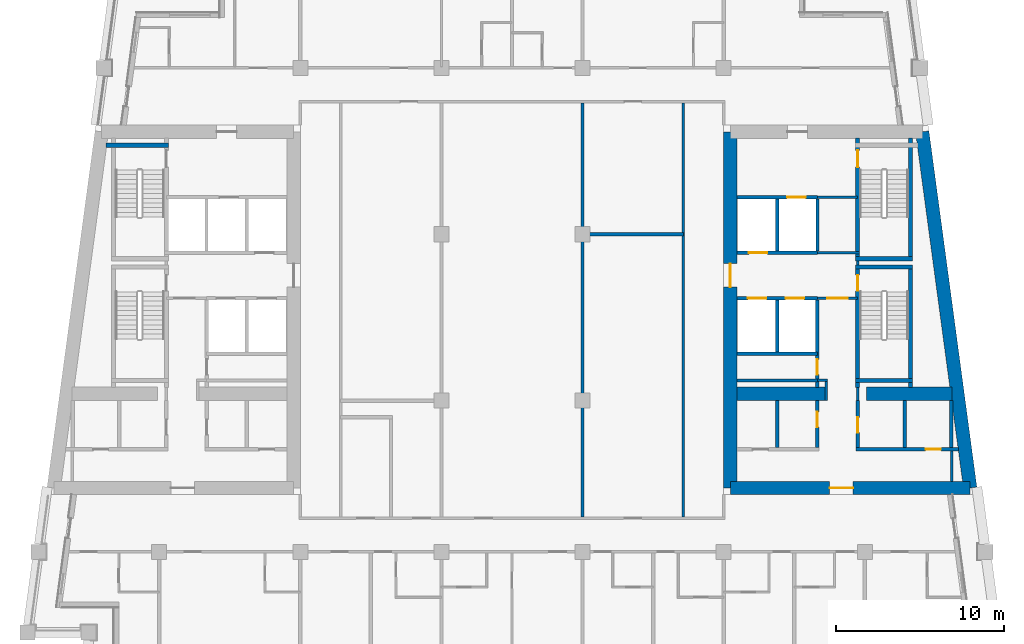
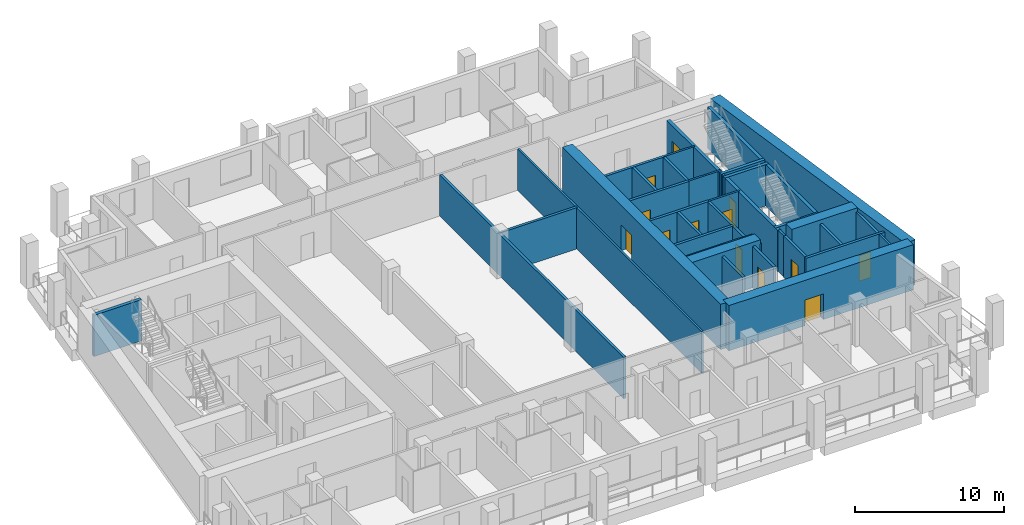
# One storey, part 5 of 12: 39 walls, 13 doors, 13 openings.
"""IFC4 building model written with IfcOpenShell, lengths in metres."""

from ifc_helpers import new_model, si_unit, direction, frame, frame_2d, origin, place, context, subcontext, project, spatial, rectangle, extrude, material, layer, layer_set, type_object, element, fill, save


model = new_model("IFC4")

# Units and contexts
model_context = context("Model", 3, precision=1e-05, world=origin(), true_north=direction((0.0, 1.0)))
body_context = subcontext(model_context, "Body", "Model", "MODEL_VIEW")
ifc_project = project(units=[si_unit("LENGTHUNIT", "METRE"), si_unit("AREAUNIT", "SQUARE_METRE"), si_unit("VOLUMEUNIT", "CUBIC_METRE"), si_unit("PLANEANGLEUNIT", "RADIAN"), si_unit("MASSUNIT", "GRAM", prefix="KILO")], contexts=[model_context])

# Site, building, storey
site_placement = place(None, origin())
site = spatial("IfcSite", under=ifc_project, at=site_placement, CompositionType="ELEMENT")
building_placement = place(site_placement, origin())
building = spatial("IfcBuilding", under=site, at=building_placement, Name="Candeia Pilgrim Tower and Theatre", CompositionType="ELEMENT")
storey_placement = place(building_placement, frame((0.0, 0.0, 224.39990234375)))
storey = spatial("IfcBuildingStorey", under=building, at=storey_placement, Name="L54", CompositionType="ELEMENT", Elevation=224.39990234375)

# Wall
ifc_material_1 = material(Name="Concrete C50/60", Category="concrete")
ifc_layer_1 = layer(ifc_material_1, 0.800048828125)
ifc_layer_set_1 = layer_set([ifc_layer_1], Name="Core wall 800 C50/60")
wall_type_1 = type_object("IfcWallType", Name="Core wall 800 C50/60", PredefinedType="SHEAR", material=ifc_layer_set_1)
wall_1_placement = place(storey_placement, frame((137.819580078125, 132.0, 0.0), z_axis=(0.0, 0.0, 1.0), x_axis=(0.133408347329, -0.991061154956, 0.0)))
element("IfcWall", 1, at=wall_1_placement, inside=storey, type_object=wall_type_1, Name="Core wall E2", PredefinedType="SHEAR", context=body_context, shape_type="SweptSolid", body=[
    extrude(rectangle(XDim=21.39111328125, YDim=0.800048828125, at=frame_2d((10.695556640625, 0.0))), origin(), (0.0, 0.0, 1.0), 3.7001953125),
])

# Wall, opening, door
wall_2_placement = place(storey_placement, frame((140.67333984375, 110.800048828125, 0.0), z_axis=(0.0, 0.0, 1.0), x_axis=(-1.0, 0.0, 0.0)))
wall_2 = element("IfcWall", 2, at=wall_2_placement, inside=storey, type_object=wall_type_1, Name="Core wall E3", PredefinedType="SHEAR", context=body_context, shape_type="SweptSolid", body=[
    extrude(rectangle(XDim=14.2734375, YDim=0.800048828125, at=frame_2d((7.13671875, 0.0))), origin(), (0.0, 0.0, 1.0), 3.7001953125),
])
opening_1_placement = place(wall_2_placement, frame((6.96533203125, 0.0, 0.0)))
opening_1 = element("IfcOpeningElement", 3, at=opening_1_placement, cuts=wall_2, Name="Opening L54-D057", PredefinedType="OPENING", context=body_context, shape_type="SweptSolid", body=[
    extrude(rectangle(XDim=1.39990234375, YDim=2.10009765625, at=frame_2d((0.699951171875, 1.050048828125))), frame((0.0, 0.41015625, 0.0), z_axis=(0.0, -1.0, 0.0), x_axis=(1.0, 0.0, 0.0)), (0.0, 0.0, 1.0), 0.820068359375),
])
ifc_material_2 = material(Name="Steel fire door set", Category="steel")
door_type_1 = type_object("IfcDoorType", Name="D-1400-FD60", OperationType="NOTDEFINED", PredefinedType="DOOR", material=ifc_material_2)
door_1_placement = place(opening_1_placement, origin())
door_1 = element("IfcDoor", 4, at=door_1_placement, inside=storey, type_object=door_type_1, Name="Door L54-D057", OperationType="SINGLE_SWING_LEFT", OverallHeight=2.10009765625, OverallWidth=1.39990234375, PredefinedType="DOOR", context=body_context, shape_type="SweptSolid", body=[
    extrude(rectangle(XDim=1.39990234375, YDim=2.10009765625, at=frame_2d((0.699951171875, 1.050048828125))), frame((0.0, 0.02490234375, 0.0), z_axis=(0.0, -1.0, 0.0), x_axis=(1.0, 0.0, 0.0)), (0.0, 0.0, 1.0), 0.050048828125),
])
fill(opening_1, door_1)

wall_3_placement = place(storey_placement, frame((126.39990234375, 110.800048828125, 0.0), z_axis=(0.0, 0.0, 1.0), x_axis=(0.0, 1.0, 0.0)))
wall_3 = element("IfcWall", 5, at=wall_3_placement, inside=storey, type_object=wall_type_1, Name="Core wall E4", PredefinedType="SHEAR", context=body_context, shape_type="SweptSolid", body=[
    extrude(rectangle(XDim=21.199951171875, YDim=0.800048828125, at=frame_2d((10.60009765625, 0.0))), origin(), (0.0, 0.0, 1.0), 3.7001953125),
])
opening_2_placement = place(wall_3_placement, frame((11.949951171875, 0.0, 0.0)))
opening_2 = element("IfcOpeningElement", 6, at=opening_2_placement, cuts=wall_3, Name="Opening L54-D059", PredefinedType="OPENING", context=body_context, shape_type="SweptSolid", body=[
    extrude(rectangle(XDim=1.39990234375, YDim=2.10009765625, at=frame_2d((0.699951171875, 1.050048828125))), frame((0.0, 0.41015625, 0.0), z_axis=(0.0, -1.0, 0.0), x_axis=(1.0, 0.0, 0.0)), (0.0, 0.0, 1.0), 0.820068359375),
])
door_2_placement = place(opening_2_placement, origin())
door_2 = element("IfcDoor", 7, at=door_2_placement, inside=storey, type_object=door_type_1, Name="Door L54-D059", OperationType="SINGLE_SWING_LEFT", OverallHeight=2.10009765625, OverallWidth=1.39990234375, PredefinedType="DOOR", context=body_context, shape_type="SweptSolid", body=[
    extrude(rectangle(XDim=1.39990234375, YDim=2.10009765625, at=frame_2d((0.699951171875, 1.050048828125))), frame((0.0, 0.02490234375, 0.0), z_axis=(0.0, -1.0, 0.0), x_axis=(1.0, 0.0, 0.0)), (0.0, 0.0, 1.0), 0.050048828125),
])
fill(opening_2, door_2)

# Walls
wall_4_placement = place(storey_placement, frame((126.800048828125, 116.39990234375, 0.0), z_axis=(0.0, 0.0, 1.0), x_axis=(1.0, 0.0, 0.0)))
element("IfcWall", 8, at=wall_4_placement, inside=storey, type_object=wall_type_1, Name="Core wall E5", PredefinedType="SHEAR", context=body_context, shape_type="SweptSolid", body=[
    extrude(rectangle(XDim=5.300048828125, YDim=0.800048828125, at=frame_2d((2.64990234375, 0.0))), origin(), (0.0, 0.0, 1.0), 3.7001953125),
])
wall_5_placement = place(storey_placement, frame((134.5, 116.39990234375, 0.0), z_axis=(0.0, 0.0, 1.0), x_axis=(1.0, 0.0, 0.0)))
element("IfcWall", 9, at=wall_5_placement, inside=storey, type_object=wall_type_1, Name="Core wall E6", PredefinedType="SHEAR", context=body_context, shape_type="SweptSolid", body=[
    extrude(rectangle(XDim=5.076904296875, YDim=0.800048828125, at=frame_2d((2.53857421875, 0.0))), origin(), (0.0, 0.0, 1.0), 3.7001953125),
])
ifc_material_3 = material(Name="Gypsum board partition on steel studs", Category="steel")
ifc_layer_2 = layer(ifc_material_3, 0.14990234375)
ifc_layer_set_2 = layer_set([ifc_layer_2], Name="PW-150 lobby wall")
wall_type_2 = type_object("IfcWallType", Name="PW-150 lobby wall", PredefinedType="PARTITIONING", material=ifc_layer_set_2)
wall_6_placement = place(storey_placement, frame((131.572998046875, 117.199951171875, 0.0), z_axis=(0.0, 0.0, 1.0), x_axis=(1.0, 0.0, 0.0)))
element("IfcWall", 10, at=wall_6_placement, inside=storey, type_object=wall_type_2, Name="Lobby wall L54-021", PredefinedType="PARTITIONING", context=body_context, shape_type="SweptSolid", body=[
    extrude(rectangle(XDim=0.60205078125, YDim=0.14990234375, at=frame_2d((0.301025390625, 0.0))), origin(), (0.0, 0.0, 1.0), 3.380126953125),
])

# Wall, opening, door
wall_7_placement = place(storey_placement, frame((131.572998046875, 122.10009765625, 0.0), z_axis=(0.0, 0.0, 1.0), x_axis=(1.0, 0.0, 0.0)))
wall_7 = element("IfcWall", 11, at=wall_7_placement, inside=storey, type_object=wall_type_2, Name="Lobby wall L54-029", PredefinedType="PARTITIONING", context=body_context, shape_type="SweptSolid", body=[
    extrude(rectangle(XDim=2.39990234375, YDim=0.14990234375, at=frame_2d((1.199951171875, 0.0))), origin(), (0.0, 0.0, 1.0), 3.380126953125),
])
opening_3_placement = place(wall_7_placement, frame((0.60009765625, 0.0, 0.0)))
opening_3 = element("IfcOpeningElement", 12, at=opening_3_placement, cuts=wall_7, Name="Opening L54-D009", PredefinedType="OPENING", context=body_context, shape_type="SweptSolid", body=[
    extrude(rectangle(XDim=1.199951171875, YDim=2.10009765625, at=frame_2d((0.60009765625, 1.050048828125))), frame((0.0, 0.0849609375, 0.0), z_axis=(0.0, -1.0, 0.0), x_axis=(1.0, 0.0, 0.0)), (0.0, 0.0, 1.0), 0.169921875),
])
door_type_2 = type_object("IfcDoorType", Name="D-1200-FD60", OperationType="NOTDEFINED", PredefinedType="DOOR", material=ifc_material_2)
door_3_placement = place(opening_3_placement, origin())
door_3 = element("IfcDoor", 13, at=door_3_placement, inside=storey, type_object=door_type_2, Name="Door L54-D009", OperationType="SINGLE_SWING_LEFT", OverallHeight=2.10009765625, OverallWidth=1.199951171875, PredefinedType="DOOR", context=body_context, shape_type="SweptSolid", body=[
    extrude(rectangle(XDim=1.199951171875, YDim=2.10009765625, at=frame_2d((0.60009765625, 1.050048828125))), frame((0.0, 0.02490234375, 0.0), z_axis=(0.0, -1.0, 0.0), x_axis=(1.0, 0.0, 0.0)), (0.0, 0.0, 1.0), 0.050048828125),
])
fill(opening_3, door_3)

# Walls
wall_8_placement = place(storey_placement, frame((131.58203125, 124.800048828125, 0.0), z_axis=(0.0, 0.0, 1.0), x_axis=(1.0, 0.0, 0.0)))
element("IfcWall", 14, at=wall_8_placement, inside=storey, type_object=wall_type_2, Name="Lobby wall L54-036", PredefinedType="PARTITIONING", context=body_context, shape_type="SweptSolid", body=[
    extrude(rectangle(XDim=2.515869140625, YDim=0.14990234375, at=frame_2d((1.2578125, 0.0))), origin(), (0.0, 0.0, 1.0), 3.380126953125),
])
wall_9_placement = place(storey_placement, frame((131.58203125, 128.10009765625, 0.0), z_axis=(0.0, 0.0, 1.0), x_axis=(1.0, 0.0, 0.0)))
element("IfcWall", 15, at=wall_9_placement, inside=storey, type_object=wall_type_2, Name="Lobby wall L54-040", PredefinedType="PARTITIONING", context=body_context, shape_type="SweptSolid", body=[
    extrude(rectangle(XDim=2.390869140625, YDim=0.14990234375, at=frame_2d((1.1953125, 0.0))), origin(), (0.0, 0.0, 1.0), 3.380126953125),
])
wall_10_placement = place(storey_placement, frame((132.10009765625, 116.0, 0.0), z_axis=(0.0, 0.0, 1.0), x_axis=(0.0, 1.0, 0.0)))
element("IfcWall", 16, at=wall_10_placement, inside=storey, type_object=wall_type_2, Name="Lobby wall L54-107", PredefinedType="PARTITIONING", context=body_context, shape_type="SweptSolid", body=[
    extrude(rectangle(XDim=1.125, YDim=0.14990234375, at=frame_2d((0.5625, 0.0))), origin(), (0.0, 0.0, 1.0), 3.380126953125),
])
wall_11_placement = place(storey_placement, frame((133.972900390625, 116.0, 0.0), z_axis=(0.0, 0.0, 1.0), x_axis=(0.0, 1.0, 0.0)))
element("IfcWall", 17, at=wall_11_placement, inside=storey, type_object=wall_type_2, Name="Lobby wall L54-110", PredefinedType="PARTITIONING", context=body_context, shape_type="SweptSolid", body=[
    extrude(rectangle(XDim=0.77001953125, YDim=0.14990234375, at=frame_2d((0.385009765625, 0.0))), origin(), (0.0, 0.0, 1.0), 3.380126953125),
])
wall_12_placement = place(storey_placement, frame((133.972900390625, 124.074951171875, 0.0), z_axis=(0.0, 0.0, 1.0), x_axis=(0.0, 1.0, 0.0)))
element("IfcWall", 18, at=wall_12_placement, inside=storey, type_object=wall_type_2, Name="Lobby wall L54-111", PredefinedType="PARTITIONING", context=body_context, shape_type="SweptSolid", body=[
    extrude(rectangle(XDim=0.25, YDim=0.14990234375, at=frame_2d((0.125, 0.0))), origin(), (0.0, 0.0, 1.0), 3.380126953125),
])
wall_13_placement = place(storey_placement, frame((139.572998046875, 111.199951171875, 0.0), z_axis=(0.0, 0.0, 1.0), x_axis=(0.0, 1.0, 0.0)))
element("IfcWall", 19, at=wall_13_placement, inside=storey, type_object=wall_type_2, Name="Lobby wall L54-120", PredefinedType="PARTITIONING", context=body_context, shape_type="SweptSolid", body=[
    extrude(rectangle(XDim=1.800048828125, YDim=0.14990234375, at=frame_2d((0.89990234375, 0.0))), origin(), (0.0, 0.0, 1.0), 3.380126953125),
])
ifc_layer_3 = layer(ifc_material_3, 0.14990234375)
ifc_layer_set_3 = layer_set([ifc_layer_3], Name="PW-150 unit wall")
wall_type_3 = type_object("IfcWallType", Name="PW-150 unit wall", PredefinedType="PARTITIONING", material=ifc_layer_set_3)
wall_14_placement = place(storey_placement, frame((123.60009765625, 109.074951171875, 0.0), z_axis=(0.0, 0.0, 1.0), x_axis=(0.0, 1.0, 0.0)))
element("IfcWall", 20, at=wall_14_placement, inside=storey, type_object=wall_type_3, Name="Unit wall L54-093", PredefinedType="PARTITIONING", context=body_context, shape_type="SweptSolid", body=[
    extrude(rectangle(XDim=24.650146484375, YDim=0.14990234375, at=frame_2d((12.3251953125, 0.0))), origin(), (0.0, 0.0, 1.0), 3.380126953125),
])
ifc_layer_4 = layer(ifc_material_3, 0.199951171875)
ifc_layer_set_4 = layer_set([ifc_layer_4], Name="PW-200 party wall")
wall_type_4 = type_object("IfcWallType", Name="PW-200 party wall", PredefinedType="PARTITIONING", material=ifc_layer_set_4)
wall_15_placement = place(storey_placement, frame((117.60009765625, 125.89990234375, 0.0), z_axis=(0.0, 0.0, 1.0), x_axis=(1.0, 0.0, 0.0)))
element("IfcWall", 21, at=wall_15_placement, inside=storey, type_object=wall_type_4, Name="Party wall L54-037", PredefinedType="PARTITIONING", context=body_context, shape_type="SweptSolid", body=[
    extrude(rectangle(XDim=6.0, YDim=0.199951171875, at=frame_2d((3.0, 0.0))), origin(), (0.0, 0.0, 1.0), 3.380126953125),
])
wall_16_placement = place(storey_placement, frame((117.60009765625, 109.074951171875, 0.0), z_axis=(0.0, 0.0, 1.0), x_axis=(0.0, 1.0, 0.0)))
element("IfcWall", 22, at=wall_16_placement, inside=storey, type_object=wall_type_4, Name="Party wall L54-088", PredefinedType="PARTITIONING", context=body_context, shape_type="SweptSolid", body=[
    extrude(rectangle(XDim=24.650146484375, YDim=0.199951171875, at=frame_2d((12.3251953125, 0.0))), origin(), (0.0, 0.0, 1.0), 3.380126953125),
])

# Wall, opening, door
ifc_material_4 = material(Name="Concrete C40/50", Category="concrete")
ifc_layer_5 = layer(ifc_material_4, 0.199951171875)
ifc_layer_set_5 = layer_set([ifc_layer_5], Name="SW-200 shaft wall")
wall_type_5 = type_object("IfcWallType", Name="SW-200 shaft wall", PredefinedType="PARTITIONING", material=ifc_layer_set_5)
wall_17_placement = place(storey_placement, frame((133.873046875, 113.10009765625, 0.0), z_axis=(0.0, 0.0, 1.0), x_axis=(1.0, 0.0, 0.0)))
wall_17 = element("IfcWall", 23, at=wall_17_placement, inside=storey, type_object=wall_type_5, Name="Shaft wall L54-015", PredefinedType="PARTITIONING", context=body_context, shape_type="SweptSolid", body=[
    extrude(rectangle(XDim=6.116943359375, YDim=0.199951171875, at=frame_2d((3.05859375, 0.0))), origin(), (0.0, 0.0, 1.0), 3.380126953125),
])
opening_4_placement = place(wall_17_placement, frame((4.14990234375, 0.0, 0.0)))
opening_4 = element("IfcOpeningElement", 24, at=opening_4_placement, cuts=wall_17, Name="Opening L54-D013", PredefinedType="OPENING", context=body_context, shape_type="SweptSolid", body=[
    extrude(rectangle(XDim=0.89990234375, YDim=2.10009765625, at=frame_2d((0.449951171875, 1.050048828125))), frame((0.0, 0.10986328125, 0.0), z_axis=(0.0, -1.0, 0.0), x_axis=(1.0, 0.0, 0.0)), (0.0, 0.0, 1.0), 0.219970703125),
])
door_type_3 = type_object("IfcDoorType", Name="D-900-FD60", OperationType="NOTDEFINED", PredefinedType="DOOR", material=ifc_material_2)
door_4_placement = place(opening_4_placement, origin())
door_4 = element("IfcDoor", 25, at=door_4_placement, inside=storey, type_object=door_type_3, Name="Door L54-D013", OperationType="SINGLE_SWING_LEFT", OverallHeight=2.10009765625, OverallWidth=0.89990234375, PredefinedType="DOOR", context=body_context, shape_type="SweptSolid", body=[
    extrude(rectangle(XDim=0.89990234375, YDim=2.10009765625, at=frame_2d((0.449951171875, 1.050048828125))), frame((0.0, 0.02490234375, 0.0), z_axis=(0.0, -1.0, 0.0), x_axis=(1.0, 0.0, 0.0)), (0.0, 0.0, 1.0), 0.050048828125),
])
fill(opening_4, door_4)

# Walls
for number, where, z_axis, x_axis, name in (
    (26, (126.800048828125, 117.199951171875, 0.0), (0.0, 0.0, 1.0), (1.0, 0.0, 0.0), "Shaft wall L54-019"),
    (27, (126.800048828125, 118.800048828125, 0.0), (0.0, 0.0, 1.0), (1.0, 0.0, 0.0), "Shaft wall L54-025"),
):
    element("IfcWall", number, at=place(storey_placement, frame(where, z_axis=z_axis, x_axis=x_axis)), inside=storey, type_object=wall_type_5, Name=name, PredefinedType="PARTITIONING", context=body_context, shape_type="SweptSolid", body=[
        extrude(rectangle(XDim=4.77294921875, YDim=0.199951171875, at=frame_2d((2.386474609375, 0.0))), origin(), (0.0, 0.0, 1.0), 3.380126953125),
    ])

# Wall, openings, doors
wall_18_placement = place(storey_placement, frame((126.800048828125, 122.10009765625, 0.0), z_axis=(0.0, 0.0, 1.0), x_axis=(1.0, 0.0, 0.0)))
wall_18 = element("IfcWall", 28, at=wall_18_placement, inside=storey, type_object=wall_type_5, Name="Shaft wall L54-027", PredefinedType="PARTITIONING", context=body_context, shape_type="SweptSolid", body=[
    extrude(rectangle(XDim=4.77294921875, YDim=0.199951171875, at=frame_2d((2.386474609375, 0.0))), origin(), (0.0, 0.0, 1.0), 3.380126953125),
])
opening_5_placement = place(wall_18_placement, frame((2.883056640625, 0.0, 0.0)))
opening_5 = element("IfcOpeningElement", 29, at=opening_5_placement, cuts=wall_18, Name="Opening L54-LD05", PredefinedType="OPENING", context=body_context, shape_type="SweptSolid", body=[
    extrude(rectangle(XDim=1.10009765625, YDim=2.10009765625, at=frame_2d((0.550048828125, 1.050048828125))), frame((0.0, 0.10986328125, 0.0), z_axis=(0.0, -1.0, 0.0), x_axis=(1.0, 0.0, 0.0)), (0.0, 0.0, 1.0), 0.219970703125),
])
opening_6_placement = place(wall_18_placement, frame((0.64306640625, 0.0, 0.0)))
opening_6 = element("IfcOpeningElement", 30, at=opening_6_placement, cuts=wall_18, Name="Opening L54-LD06", PredefinedType="OPENING", context=body_context, shape_type="SweptSolid", body=[
    extrude(rectangle(XDim=1.10009765625, YDim=2.10009765625, at=frame_2d((0.550048828125, 1.050048828125))), frame((0.0, 0.10986328125, 0.0), z_axis=(0.0, -1.0, 0.0), x_axis=(1.0, 0.0, 0.0)), (0.0, 0.0, 1.0), 0.219970703125),
])
ifc_material_5 = material(Name="Glazed aluminium landing door", Category="aluminium")
door_type_4 = type_object("IfcDoorType", Name="LD-1100-EI120", OperationType="SLIDING_TO_LEFT", PredefinedType="DOOR", material=ifc_material_5)
door_5_placement = place(opening_5_placement, origin())
door_5 = element("IfcDoor", 31, at=door_5_placement, inside=storey, type_object=door_type_4, Name="Landing door 05 L54", OperationType="SLIDING_TO_LEFT", OverallHeight=2.10009765625, OverallWidth=1.10009765625, PredefinedType="DOOR", context=body_context, shape_type="SweptSolid", body=[
    extrude(rectangle(XDim=1.10009765625, YDim=2.10009765625, at=frame_2d((0.550048828125, 1.050048828125))), frame((0.0, 0.02490234375, 0.0), z_axis=(0.0, -1.0, 0.0), x_axis=(1.0, 0.0, 0.0)), (0.0, 0.0, 1.0), 0.050048828125),
])
fill(opening_5, door_5)
door_6_placement = place(opening_6_placement, origin())
door_6 = element("IfcDoor", 32, at=door_6_placement, inside=storey, type_object=door_type_4, Name="Landing door 06 L54", OperationType="SLIDING_TO_LEFT", OverallHeight=2.10009765625, OverallWidth=1.10009765625, PredefinedType="DOOR", context=body_context, shape_type="SweptSolid", body=[
    extrude(rectangle(XDim=1.10009765625, YDim=2.10009765625, at=frame_2d((0.550048828125, 1.050048828125))), frame((0.0, 0.02490234375, 0.0), z_axis=(0.0, -1.0, 0.0), x_axis=(1.0, 0.0, 0.0)), (0.0, 0.0, 1.0), 0.050048828125),
])
fill(opening_6, door_6)

# Wall, opening, door
wall_19_placement = place(storey_placement, frame((126.800048828125, 124.800048828125, 0.0), z_axis=(0.0, 0.0, 1.0), x_axis=(1.0, 0.0, 0.0)))
wall_19 = element("IfcWall", 33, at=wall_19_placement, inside=storey, type_object=wall_type_5, Name="Shaft wall L54-035", PredefinedType="PARTITIONING", context=body_context, shape_type="SweptSolid", body=[
    extrude(rectangle(XDim=4.781982421875, YDim=0.199951171875, at=frame_2d((2.39111328125, 0.0))), origin(), (0.0, 0.0, 1.0), 3.380126953125),
])
opening_7_placement = place(wall_19_placement, frame((0.705078125, 0.0, 0.0)))
opening_7 = element("IfcOpeningElement", 34, at=opening_7_placement, cuts=wall_19, Name="Opening L54-LD08", PredefinedType="OPENING", context=body_context, shape_type="SweptSolid", body=[
    extrude(rectangle(XDim=1.10009765625, YDim=2.10009765625, at=frame_2d((0.550048828125, 1.050048828125))), frame((0.0, 0.10986328125, 0.0), z_axis=(0.0, -1.0, 0.0), x_axis=(1.0, 0.0, 0.0)), (0.0, 0.0, 1.0), 0.219970703125),
])
door_7_placement = place(opening_7_placement, origin())
door_7 = element("IfcDoor", 35, at=door_7_placement, inside=storey, type_object=door_type_4, Name="Landing door 08 L54", OperationType="SLIDING_TO_LEFT", OverallHeight=2.10009765625, OverallWidth=1.10009765625, PredefinedType="DOOR", context=body_context, shape_type="SweptSolid", body=[
    extrude(rectangle(XDim=1.10009765625, YDim=2.10009765625, at=frame_2d((0.550048828125, 1.050048828125))), frame((0.0, 0.02490234375, 0.0), z_axis=(0.0, -1.0, 0.0), x_axis=(1.0, 0.0, 0.0)), (0.0, 0.0, 1.0), 0.050048828125),
])
fill(opening_7, door_7)

wall_20_placement = place(storey_placement, frame((126.800048828125, 128.10009765625, 0.0), z_axis=(0.0, 0.0, 1.0), x_axis=(1.0, 0.0, 0.0)))
wall_20 = element("IfcWall", 36, at=wall_20_placement, inside=storey, type_object=wall_type_5, Name="Shaft wall L54-039", PredefinedType="PARTITIONING", context=body_context, shape_type="SweptSolid", body=[
    extrude(rectangle(XDim=4.781982421875, YDim=0.199951171875, at=frame_2d((2.39111328125, 0.0))), origin(), (0.0, 0.0, 1.0), 3.380126953125),
])
opening_8_placement = place(wall_20_placement, frame((2.97705078125, 0.0, 0.0)))
opening_8 = element("IfcOpeningElement", 37, at=opening_8_placement, cuts=wall_20, Name="Opening L54-LD07", PredefinedType="OPENING", context=body_context, shape_type="SweptSolid", body=[
    extrude(rectangle(XDim=1.10009765625, YDim=2.10009765625, at=frame_2d((0.550048828125, 1.050048828125))), frame((0.0, 0.10986328125, 0.0), z_axis=(0.0, -1.0, 0.0), x_axis=(1.0, 0.0, 0.0)), (0.0, 0.0, 1.0), 0.219970703125),
])
door_8_placement = place(opening_8_placement, origin())
door_8 = element("IfcDoor", 38, at=door_8_placement, inside=storey, type_object=door_type_4, Name="Landing door 07 L54", OperationType="SLIDING_TO_LEFT", OverallHeight=2.10009765625, OverallWidth=1.10009765625, PredefinedType="DOOR", context=body_context, shape_type="SweptSolid", body=[
    extrude(rectangle(XDim=1.10009765625, YDim=2.10009765625, at=frame_2d((0.550048828125, 1.050048828125))), frame((0.0, 0.02490234375, 0.0), z_axis=(0.0, -1.0, 0.0), x_axis=(1.0, 0.0, 0.0)), (0.0, 0.0, 1.0), 0.050048828125),
])
fill(opening_8, door_8)

# Walls
wall_21_placement = place(storey_placement, frame((129.1865234375, 113.199951171875, 0.0), z_axis=(0.0, 0.0, 1.0), x_axis=(0.0, 1.0, 0.0)))
element("IfcWall", 39, at=wall_21_placement, inside=storey, type_object=wall_type_5, Name="Shaft wall L54-100", PredefinedType="PARTITIONING", context=body_context, shape_type="SweptSolid", body=[
    extrude(rectangle(XDim=2.800048828125, YDim=0.199951171875, at=frame_2d((1.39990234375, 0.0))), origin(), (0.0, 0.0, 1.0), 3.380126953125),
])
for number, where, z_axis, x_axis, name in (
    (40, (129.1865234375, 118.89990234375, 0.0), (0.0, 0.0, 1.0), (0.0, 1.0, 0.0), "Shaft wall L54-101"),
    (41, (129.19091796875, 124.89990234375, 0.0), (0.0, 0.0, 1.0), (0.0, 1.0, 0.0), "Shaft wall L54-102"),
):
    element("IfcWall", number, at=place(storey_placement, frame(where, z_axis=z_axis, x_axis=x_axis)), inside=storey, type_object=wall_type_5, Name=name, PredefinedType="PARTITIONING", context=body_context, shape_type="SweptSolid", body=[
        extrude(rectangle(XDim=3.10009765625, YDim=0.199951171875, at=frame_2d((1.550048828125, 0.0))), origin(), (0.0, 0.0, 1.0), 3.380126953125),
    ])

# Wall, opening, door
wall_22_placement = place(storey_placement, frame((131.572998046875, 113.199951171875, 0.0), z_axis=(0.0, 0.0, 1.0), x_axis=(0.0, 1.0, 0.0)))
wall_22 = element("IfcWall", 42, at=wall_22_placement, inside=storey, type_object=wall_type_5, Name="Shaft wall L54-104", PredefinedType="PARTITIONING", context=body_context, shape_type="SweptSolid", body=[
    extrude(rectangle(XDim=2.800048828125, YDim=0.199951171875, at=frame_2d((1.39990234375, 0.0))), origin(), (0.0, 0.0, 1.0), 3.380126953125),
])
opening_9_placement = place(wall_22_placement, frame((1.22509765625, 0.0, 0.0)))
opening_9 = element("IfcOpeningElement", 43, at=opening_9_placement, cuts=wall_22, Name="Opening L54-D015", PredefinedType="OPENING", context=body_context, shape_type="SweptSolid", body=[
    extrude(rectangle(XDim=0.89990234375, YDim=2.10009765625, at=frame_2d((0.449951171875, 1.050048828125))), frame((0.0, 0.10986328125, 0.0), z_axis=(0.0, -1.0, 0.0), x_axis=(1.0, 0.0, 0.0)), (0.0, 0.0, 1.0), 0.219970703125),
])
door_9_placement = place(opening_9_placement, origin())
door_9 = element("IfcDoor", 44, at=door_9_placement, inside=storey, type_object=door_type_3, Name="Door L54-D015", OperationType="SINGLE_SWING_LEFT", OverallHeight=2.10009765625, OverallWidth=0.89990234375, PredefinedType="DOOR", context=body_context, shape_type="SweptSolid", body=[
    extrude(rectangle(XDim=0.89990234375, YDim=2.10009765625, at=frame_2d((0.449951171875, 1.050048828125))), frame((0.0, 0.02490234375, 0.0), z_axis=(0.0, -1.0, 0.0), x_axis=(1.0, 0.0, 0.0)), (0.0, 0.0, 1.0), 0.050048828125),
])
fill(opening_9, door_9)

wall_23_placement = place(storey_placement, frame((131.572998046875, 116.77001953125, 0.0), z_axis=(0.0, 0.0, 1.0), x_axis=(0.0, 1.0, 0.0)))
wall_23 = element("IfcWall", 45, at=wall_23_placement, inside=storey, type_object=wall_type_5, Name="Shaft wall L54-105", PredefinedType="PARTITIONING", context=body_context, shape_type="SweptSolid", body=[
    extrude(rectangle(XDim=5.22998046875, YDim=0.199951171875, at=frame_2d((2.614990234375, 0.0))), origin(), (0.0, 0.0, 1.0), 3.380126953125),
])
opening_10_placement = place(wall_23_placement, frame((0.780029296875, 0.0, 0.0)))
opening_10 = element("IfcOpeningElement", 46, at=opening_10_placement, cuts=wall_23, Name="Opening L54-D012", PredefinedType="OPENING", context=body_context, shape_type="SweptSolid", body=[
    extrude(rectangle(XDim=0.89990234375, YDim=2.10009765625, at=frame_2d((0.449951171875, 1.050048828125))), frame((0.0, 0.10986328125, 0.0), z_axis=(0.0, -1.0, 0.0), x_axis=(1.0, 0.0, 0.0)), (0.0, 0.0, 1.0), 0.219970703125),
])
door_10_placement = place(opening_10_placement, origin())
door_10 = element("IfcDoor", 47, at=door_10_placement, inside=storey, type_object=door_type_3, Name="Door L54-D012", OperationType="SINGLE_SWING_RIGHT", OverallHeight=2.10009765625, OverallWidth=0.89990234375, PredefinedType="DOOR", context=body_context, shape_type="SweptSolid", body=[
    extrude(rectangle(XDim=0.89990234375, YDim=2.10009765625, at=frame_2d((0.449951171875, 1.050048828125))), frame((0.0, 0.02490234375, 0.0), z_axis=(0.0, -1.0, 0.0), x_axis=(1.0, 0.0, 0.0)), (0.0, 0.0, 1.0), 0.050048828125),
])
fill(opening_10, door_10)

# Wall
wall_24_placement = place(storey_placement, frame((131.58203125, 124.89990234375, 0.0), z_axis=(0.0, 0.0, 1.0), x_axis=(0.0, 1.0, 0.0)))
element("IfcWall", 48, at=wall_24_placement, inside=storey, type_object=wall_type_5, Name="Shaft wall L54-106", PredefinedType="PARTITIONING", context=body_context, shape_type="SweptSolid", body=[
    extrude(rectangle(XDim=3.10009765625, YDim=0.199951171875, at=frame_2d((1.550048828125, 0.0))), origin(), (0.0, 0.0, 1.0), 3.380126953125),
])

# Wall, opening, door
wall_25_placement = place(storey_placement, frame((133.972900390625, 113.199951171875, 0.0), z_axis=(0.0, 0.0, 1.0), x_axis=(0.0, 1.0, 0.0)))
wall_25 = element("IfcWall", 49, at=wall_25_placement, inside=storey, type_object=wall_type_5, Name="Shaft wall L54-109", PredefinedType="PARTITIONING", context=body_context, shape_type="SweptSolid", body=[
    extrude(rectangle(XDim=2.800048828125, YDim=0.199951171875, at=frame_2d((1.39990234375, 0.0))), origin(), (0.0, 0.0, 1.0), 3.380126953125),
])
opening_11_placement = place(wall_25_placement, frame((0.89990234375, 0.0, 0.0)))
opening_11 = element("IfcOpeningElement", 50, at=opening_11_placement, cuts=wall_25, Name="Opening L54-D014", PredefinedType="OPENING", context=body_context, shape_type="SweptSolid", body=[
    extrude(rectangle(XDim=0.89990234375, YDim=2.10009765625, at=frame_2d((0.449951171875, 1.050048828125))), frame((0.0, 0.10986328125, 0.0), z_axis=(0.0, -1.0, 0.0), x_axis=(1.0, 0.0, 0.0)), (0.0, 0.0, 1.0), 0.219970703125),
])
door_11_placement = place(opening_11_placement, origin())
door_11 = element("IfcDoor", 51, at=door_11_placement, inside=storey, type_object=door_type_3, Name="Door L54-D014", OperationType="SINGLE_SWING_RIGHT", OverallHeight=2.10009765625, OverallWidth=0.89990234375, PredefinedType="DOOR", context=body_context, shape_type="SweptSolid", body=[
    extrude(rectangle(XDim=0.89990234375, YDim=2.10009765625, at=frame_2d((0.449951171875, 1.050048828125))), frame((0.0, 0.02490234375, 0.0), z_axis=(0.0, -1.0, 0.0), x_axis=(1.0, 0.0, 0.0)), (0.0, 0.0, 1.0), 0.050048828125),
])
fill(opening_11, door_11)

# Walls
for number, where, z_axis, x_axis, name in (
    (52, (136.77294921875, 113.199951171875, 0.0), (0.0, 0.0, 1.0), (0.0, 1.0, 0.0), "Shaft wall L54-115"),
    (53, (139.550537109375, 113.199951171875, 0.0), (0.0, 0.0, 1.0), (0.0, 1.0, 0.0), "Shaft wall L54-119"),
):
    element("IfcWall", number, at=place(storey_placement, frame(where, z_axis=z_axis, x_axis=x_axis)), inside=storey, type_object=wall_type_5, Name=name, PredefinedType="PARTITIONING", context=body_context, shape_type="SweptSolid", body=[
        extrude(rectangle(XDim=2.800048828125, YDim=0.199951171875, at=frame_2d((1.39990234375, 0.0))), origin(), (0.0, 0.0, 1.0), 3.380126953125),
    ])
ifc_layer_6 = layer(ifc_material_4, 0.25)
ifc_layer_set_6 = layer_set([ifc_layer_6], Name="SW-250 stair wall")
wall_type_6 = type_object("IfcWallType", Name="SW-250 stair wall", PredefinedType="PARTITIONING", material=ifc_layer_set_6)
for number, where, z_axis, x_axis, name in (
    (54, (133.847900390625, 117.199951171875, 0.0), (0.0, 0.0, 1.0), (1.0, 0.0, 0.0), "Stair wall L54-023"),
    (55, (133.847900390625, 123.949951171875, 0.0), (0.0, 0.0, 1.0), (1.0, 0.0, 0.0), "Stair wall L54-031"),
    (56, (133.847900390625, 124.449951171875, 0.0), (0.0, 0.0, 1.0), (1.0, 0.0, 0.0), "Stair wall L54-033"),
):
    element("IfcWall", number, at=place(storey_placement, frame(where, z_axis=z_axis, x_axis=x_axis)), inside=storey, type_object=wall_type_6, Name=name, PredefinedType="PARTITIONING", context=body_context, shape_type="SweptSolid", body=[
        extrude(rectangle(XDim=3.400146484375, YDim=0.25, at=frame_2d((1.7001953125, 0.0))), origin(), (0.0, 0.0, 1.0), 3.380126953125),
    ])
wall_26_placement = place(storey_placement, frame((89.246337890625, 131.199951171875, 0.0), z_axis=(0.0, 0.0, 1.0), x_axis=(1.0, 0.0, 0.0)))
element("IfcWall", 57, at=wall_26_placement, inside=storey, type_object=wall_type_6, Name="Stair wall L54-041", PredefinedType="PARTITIONING", context=body_context, shape_type="SweptSolid", body=[
    extrude(rectangle(XDim=3.70556640625, YDim=0.25, at=frame_2d((1.852783203125, 0.0))), origin(), (0.0, 0.0, 1.0), 3.380126953125),
])

# Wall, opening, door
wall_27_placement = place(storey_placement, frame((133.972900390625, 116.77001953125, 0.0), z_axis=(0.0, 0.0, 1.0), x_axis=(0.0, 1.0, 0.0)))
wall_27 = element("IfcWall", 58, at=wall_27_placement, inside=storey, type_object=wall_type_6, Name="Stair wall L54-112", PredefinedType="PARTITIONING", context=body_context, shape_type="SweptSolid", body=[
    extrude(rectangle(XDim=7.054931640625, YDim=0.25, at=frame_2d((3.52734375, 0.0))), origin(), (0.0, 0.0, 1.0), 3.380126953125),
])
opening_12_placement = place(wall_27_placement, frame((5.7548828125, 0.0, 0.0)))
opening_12 = element("IfcOpeningElement", 59, at=opening_12_placement, cuts=wall_27, Name="Opening L54-D010", PredefinedType="OPENING", context=body_context, shape_type="SweptSolid", body=[
    extrude(rectangle(XDim=0.949951171875, YDim=2.10009765625, at=frame_2d((0.47509765625, 1.050048828125))), frame((0.0, 0.135009765625, 0.0), z_axis=(0.0, -1.0, 0.0), x_axis=(1.0, 0.0, 0.0)), (0.0, 0.0, 1.0), 0.27001953125),
])
door_type_5 = type_object("IfcDoorType", Name="D-950-FD60", OperationType="NOTDEFINED", PredefinedType="DOOR", material=ifc_material_2)
door_12_placement = place(opening_12_placement, origin())
door_12 = element("IfcDoor", 60, at=door_12_placement, inside=storey, type_object=door_type_5, Name="Door L54-D010", OperationType="SINGLE_SWING_RIGHT", OverallHeight=2.10009765625, OverallWidth=0.949951171875, PredefinedType="DOOR", context=body_context, shape_type="SweptSolid", body=[
    extrude(rectangle(XDim=0.949951171875, YDim=2.10009765625, at=frame_2d((0.47509765625, 1.050048828125))), frame((0.0, 0.02490234375, 0.0), z_axis=(0.0, -1.0, 0.0), x_axis=(1.0, 0.0, 0.0)), (0.0, 0.0, 1.0), 0.050048828125),
])
fill(opening_12, door_12)

wall_28_placement = place(storey_placement, frame((133.972900390625, 124.574951171875, 0.0), z_axis=(0.0, 0.0, 1.0), x_axis=(0.0, 1.0, 0.0)))
wall_28 = element("IfcWall", 61, at=wall_28_placement, inside=storey, type_object=wall_type_6, Name="Stair wall L54-113", PredefinedType="PARTITIONING", context=body_context, shape_type="SweptSolid", body=[
    extrude(rectangle(XDim=7.054931640625, YDim=0.25, at=frame_2d((3.52734375, 0.0))), origin(), (0.0, 0.0, 1.0), 3.380126953125),
])
opening_13_placement = place(wall_28_placement, frame((5.324951171875, 0.0, 0.0)))
opening_13 = element("IfcOpeningElement", 62, at=opening_13_placement, cuts=wall_28, Name="Opening L54-D011", PredefinedType="OPENING", context=body_context, shape_type="SweptSolid", body=[
    extrude(rectangle(XDim=1.0, YDim=2.10009765625, at=frame_2d((0.5, 1.050048828125))), frame((0.0, 0.135009765625, 0.0), z_axis=(0.0, -1.0, 0.0), x_axis=(1.0, 0.0, 0.0)), (0.0, 0.0, 1.0), 0.27001953125),
])
door_type_6 = type_object("IfcDoorType", Name="D-1000-FD60", OperationType="NOTDEFINED", PredefinedType="DOOR", material=ifc_material_2)
door_13_placement = place(opening_13_placement, origin())
door_13 = element("IfcDoor", 63, at=door_13_placement, inside=storey, type_object=door_type_6, Name="Door L54-D011", OperationType="SINGLE_SWING_LEFT", OverallHeight=2.10009765625, OverallWidth=1.0, PredefinedType="DOOR", context=body_context, shape_type="SweptSolid", body=[
    extrude(rectangle(XDim=1.0, YDim=2.10009765625, at=frame_2d((0.5, 1.050048828125))), frame((0.0, 0.02490234375, 0.0), z_axis=(0.0, -1.0, 0.0), x_axis=(1.0, 0.0, 0.0)), (0.0, 0.0, 1.0), 0.050048828125),
])
fill(opening_13, door_13)

# Walls
for number, where, z_axis, x_axis, name in (
    (64, (137.123046875, 116.77001953125, 0.0), (0.0, 0.0, 1.0), (0.0, 1.0, 0.0), "Stair wall L54-116"),
    (65, (137.123046875, 124.574951171875, 0.0), (0.0, 0.0, 1.0), (0.0, 1.0, 0.0), "Stair wall L54-117"),
):
    element("IfcWall", number, at=place(storey_placement, frame(where, z_axis=z_axis, x_axis=x_axis)), inside=storey, type_object=wall_type_6, Name=name, PredefinedType="PARTITIONING", context=body_context, shape_type="SweptSolid", body=[
        extrude(rectangle(XDim=7.054931640625, YDim=0.25, at=frame_2d((3.52734375, 0.0))), origin(), (0.0, 0.0, 1.0), 3.380126953125),
    ])

save(model, "model.ifc")
